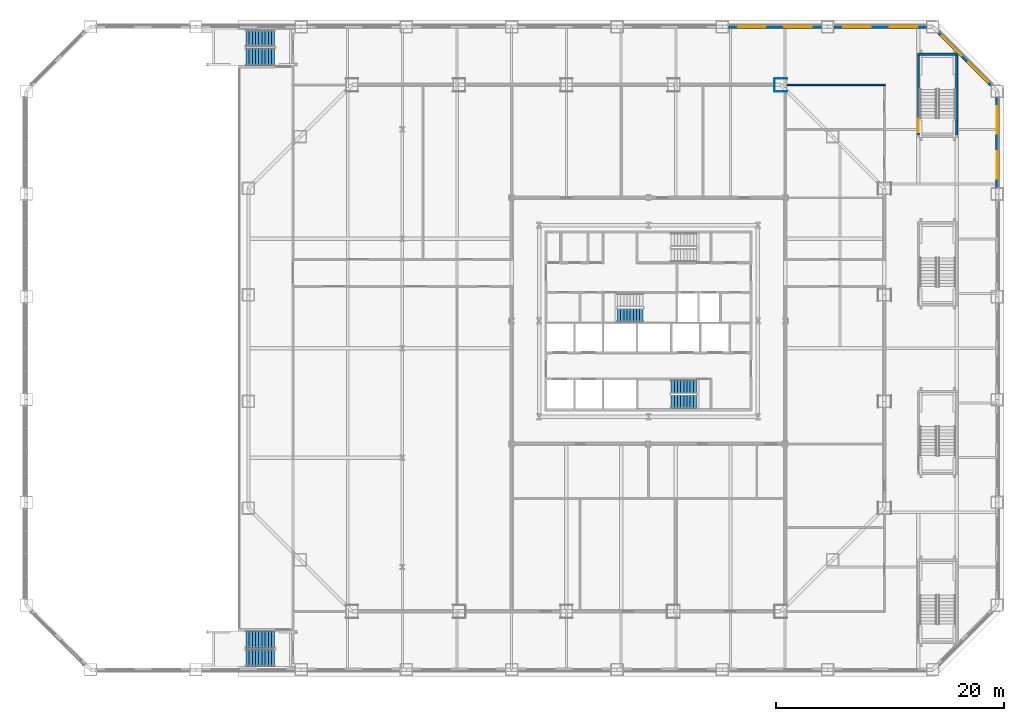
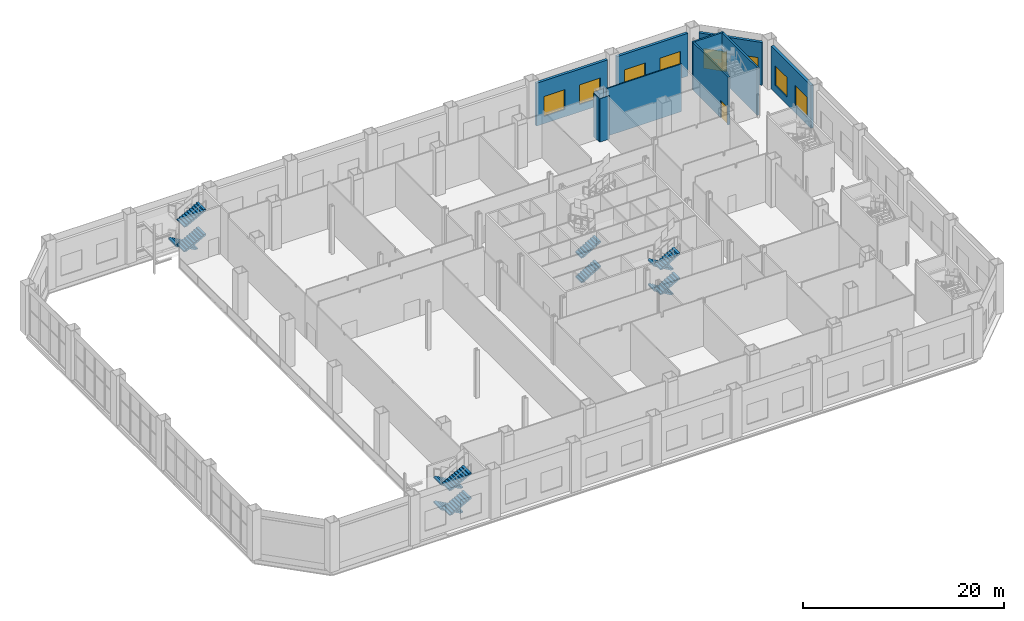
# One storey, part 22 of 31: 13 stair flights, 11 walls, 8 windows, 1 door, 9 openings, 4 elements without a shape of their own.
"""IFC4 building model written with IfcOpenShell, lengths in metres."""

from ifc_helpers import new_model, si_unit, direction, frame, frame_2d, origin, place, context, subcontext, project, spatial, polyline, rectangle, outline, extrude, material, layer, layer_set, type_object, element, fill, aggregate, save


model = new_model("IFC4")

# Units and contexts
model_context = context("Model", 3, precision=1e-05, world=origin(), true_north=direction((0.0, 1.0)))
body_context = subcontext(model_context, "Body", "Model", "MODEL_VIEW")
ifc_project = project(units=[si_unit("LENGTHUNIT", "METRE"), si_unit("AREAUNIT", "SQUARE_METRE"), si_unit("VOLUMEUNIT", "CUBIC_METRE"), si_unit("PLANEANGLEUNIT", "RADIAN"), si_unit("MASSUNIT", "GRAM", prefix="KILO")], contexts=[model_context])

# Site, building, storey
site_placement = place(None, origin())
site = spatial("IfcSite", under=ifc_project, at=site_placement, CompositionType="ELEMENT")
building_placement = place(site_placement, origin())
building = spatial("IfcBuilding", under=site, at=building_placement, Name="Cairn Pilgrim Tower", CompositionType="ELEMENT")
storey_placement = place(building_placement, frame((0.0, 0.0, 15.0)))
storey = spatial("IfcBuildingStorey", under=building, at=storey_placement, Name="L02", CompositionType="ELEMENT", Elevation=15.0)

# Walls
ifc_material_1 = material(Name="Gypsum partition")
ifc_layer_1 = layer(ifc_material_1, 0.125)
ifc_layer_set_1 = layer_set([ifc_layer_1], Name="PARTITION 125 DRYWALL EI 60")
wall_type_1 = type_object("IfcWallType", Name="PARTITION 125 DRYWALL EI 60", PredefinedType="PARTITIONING", material=ifc_layer_set_1)
wall_1_placement = place(storey_placement, frame((19.377197265625, 23.10009765625, 0.0), z_axis=(0.0, 0.0, 1.0), x_axis=(1.0, 0.0, 0.0)))
element("IfcWall", 1, at=wall_1_placement, inside=storey, type_object=wall_type_1, Name="PARTITION W071", PredefinedType="PARTITIONING", context=body_context, shape_type="SweptSolid", body=[
    extrude(rectangle(XDim=8.585205078125, YDim=0.125, at=frame_2d((4.29248046875, 0.0))), origin(), (0.0, 0.0, 1.0), 5.800048828125),
])
ifc_layer_2 = layer(ifc_material_1, 0.050048828125)
ifc_layer_set_2 = layer_set([ifc_layer_2], Name="PARTITION 50 DRYWALL EI 60")
wall_type_2 = type_object("IfcWallType", Name="PARTITION 50 DRYWALL EI 60", PredefinedType="PARTITIONING", material=ifc_layer_set_2)
wall_2_placement = place(storey_placement, frame((18.252197265625, 22.550048828125, 0.0), z_axis=(0.0, 0.0, 1.0), x_axis=(0.0, 1.0, 0.0)))
element("IfcWall", 2, at=wall_2_placement, inside=storey, type_object=wall_type_2, Name="COLUMN CASING WC35", PredefinedType="PARTITIONING", context=body_context, shape_type="SweptSolid", body=[
    extrude(rectangle(XDim=1.099853515625, YDim=0.050048828125, at=frame_2d((0.5498046875, 0.0))), origin(), (0.0, 0.0, 1.0), 5.280029296875),
])
wall_3_placement = place(storey_placement, frame((18.277099609375, 22.52490234375, 0.0), z_axis=(0.0, 0.0, 1.0), x_axis=(1.0, 0.0, 0.0)))
element("IfcWall", 3, at=wall_3_placement, inside=storey, type_object=wall_type_2, Name="COLUMN CASING WC44", PredefinedType="PARTITIONING", context=body_context, shape_type="SweptSolid", body=[
    extrude(rectangle(XDim=1.10009765625, YDim=0.050048828125, at=frame_2d((0.550048828125, 0.0))), origin(), (0.0, 0.0, 1.0), 5.280029296875),
])
wall_4_placement = place(storey_placement, frame((18.277099609375, 23.675048828125, 0.0), z_axis=(0.0, 0.0, 1.0), x_axis=(1.0, 0.0, 0.0)))
element("IfcWall", 4, at=wall_4_placement, inside=storey, type_object=wall_type_2, Name="COLUMN CASING WC45", PredefinedType="PARTITIONING", context=body_context, shape_type="SweptSolid", body=[
    extrude(rectangle(XDim=1.10009765625, YDim=0.050048828125, at=frame_2d((0.550048828125, 0.0))), origin(), (0.0, 0.0, 1.0), 5.419921875),
])

# Wall, opening, door
ifc_material_2 = material(Name="Concrete C35/45", Category="concrete")
ifc_layer_3 = layer(ifc_material_2, 0.199951171875)
ifc_layer_set_3 = layer_set([ifc_layer_3], Name="PODIUM STAIR WALL 200 EI 120")
wall_type_3 = type_object("IfcWallType", Name="PODIUM STAIR WALL 200 EI 120", PredefinedType="SOLIDWALL", material=ifc_layer_set_3)
wall_5_placement = place(storey_placement, frame((30.89990234375, 18.699951171875, 0.0), z_axis=(0.0, 0.0, 1.0), x_axis=(0.0, 1.0, 0.0)))
wall_5 = element("IfcWall", 5, at=wall_5_placement, inside=storey, type_object=wall_type_3, Name="STAIR SHAFT WALL W062", PredefinedType="SOLIDWALL", context=body_context, shape_type="SweptSolid", body=[
    extrude(rectangle(XDim=7.0, YDim=0.199951171875, at=frame_2d((3.5, 0.0))), origin(), (0.0, 0.0, 1.0), 5.800048828125),
])
opening_1_placement = place(wall_5_placement, frame((0.25, 0.0, 0.0)))
opening_1 = element("IfcOpeningElement", 6, at=opening_1_placement, cuts=wall_5, Name="Opening 0228", PredefinedType="OPENING", context=body_context, shape_type="SweptSolid", body=[
    extrude(rectangle(XDim=1.199951171875, YDim=2.10009765625, at=frame_2d((0.60009765625, 1.050048828125))), frame((0.0, 0.10986328125, 0.0), z_axis=(0.0, -1.0, 0.0), x_axis=(1.0, 0.0, 0.0)), (0.0, 0.0, 1.0), 0.219970703125),
])
ifc_material_3 = material(Name="Steel-faced fire door leaf", Category="steel")
door_type = type_object("IfcDoorType", Name="FIRE DOOR 1200x2100 FD60S", OperationType="NOTDEFINED", PredefinedType="DOOR", material=ifc_material_3)
door_placement = place(opening_1_placement, frame((1.199951171875, 0.0, 0.0), z_axis=(0.0, 0.0, 1.0), x_axis=(-1.0, 0.0, 0.0)))
door = element("IfcDoor", 7, at=door_placement, inside=storey, type_object=door_type, Name="DOOR 0228", OperationType="SINGLE_SWING_LEFT", OverallHeight=2.10009765625, OverallWidth=1.199951171875, PredefinedType="DOOR", context=body_context, shape_type="SweptSolid", body=[
    extrude(rectangle(XDim=1.199951171875, YDim=2.10009765625, at=frame_2d((0.60009765625, 1.050048828125))), frame((0.0, 0.02490234375, 0.0), z_axis=(0.0, -1.0, 0.0), x_axis=(1.0, 0.0, 0.0)), (0.0, 0.0, 1.0), 0.050048828125),
])
fill(opening_1, door)

# Walls
wall_6_placement = place(storey_placement, frame((34.25, 18.699951171875, 0.0), z_axis=(0.0, 0.0, 1.0), x_axis=(0.0, 1.0, 0.0)))
element("IfcWall", 8, at=wall_6_placement, inside=storey, type_object=wall_type_3, Name="STAIR SHAFT WALL W063", PredefinedType="SOLIDWALL", context=body_context, shape_type="SweptSolid", body=[
    extrude(rectangle(XDim=7.0, YDim=0.199951171875, at=frame_2d((3.5, 0.0))), origin(), (0.0, 0.0, 1.0), 5.800048828125),
])
wall_7_placement = place(storey_placement, frame((30.800048828125, 25.800048828125, 0.0), z_axis=(0.0, 0.0, 1.0), x_axis=(1.0, 0.0, 0.0)))
element("IfcWall", 9, at=wall_7_placement, inside=storey, type_object=wall_type_3, Name="STAIR SHAFT WALL W074", PredefinedType="SOLIDWALL", context=body_context, shape_type="SweptSolid", body=[
    extrude(rectangle(XDim=3.550048828125, YDim=0.199951171875, at=frame_2d((1.77490234375, 0.0))), origin(), (0.0, 0.0, 1.0), 5.800048828125),
])

# Wall, openings, windows
ifc_material_4 = material(Name="Concrete C35/45 backup wall with bronze aluminium cladding", Category="concrete")
ifc_layer_4 = layer(ifc_material_4, 0.300048828125)
ifc_layer_set_4 = layer_set([ifc_layer_4], Name="PODIUM WALL 300 BRONZE-CLAD")
wall_type_4 = type_object("IfcWallType", Name="PODIUM WALL 300 BRONZE-CLAD", PredefinedType="SOLIDWALL", material=ifc_layer_set_4)
wall_8_placement = place(storey_placement, frame((37.800048828125, 14.080810546875, 0.0), z_axis=(0.0, 0.0, 1.0), x_axis=(0.0, 1.0, 0.0)))
wall_8 = element("IfcWall", 10, at=wall_8_placement, inside=storey, type_object=wall_type_4, Name="PODIUM EXTERNAL WALL E5-NE1", PredefinedType="SOLIDWALL", context=body_context, shape_type="SweptSolid", body=[
    extrude(rectangle(XDim=7.920654296875, YDim=0.300048828125, at=frame_2d((3.96044921875, 0.0))), origin(), (0.0, 0.0, 1.0), 5.199951171875),
])
opening_2_placement = place(wall_8_placement, frame((0.780029296875, 0.0, 0.89990234375)))
opening_2 = element("IfcOpeningElement", 11, at=opening_2_placement, cuts=wall_8, Name="Opening PW24", PredefinedType="OPENING", context=body_context, shape_type="SweptSolid", body=[
    extrude(rectangle(XDim=2.39990234375, YDim=2.39990234375, at=frame_2d((1.199951171875, 1.199951171875))), frame((0.0, 0.16015625, 0.0), z_axis=(0.0, -1.0, 0.0), x_axis=(1.0, 0.0, 0.0)), (0.0, 0.0, 1.0), 0.320068359375),
])
opening_3_placement = place(wall_8_placement, frame((4.740478515625, 0.0, 0.89990234375)))
opening_3 = element("IfcOpeningElement", 12, at=opening_3_placement, cuts=wall_8, Name="Opening PW24", PredefinedType="OPENING", context=body_context, shape_type="SweptSolid", body=[
    extrude(rectangle(XDim=2.39990234375, YDim=2.39990234375, at=frame_2d((1.199951171875, 1.199951171875))), frame((0.0, 0.16015625, 0.0), z_axis=(0.0, -1.0, 0.0), x_axis=(1.0, 0.0, 0.0)), (0.0, 0.0, 1.0), 0.320068359375),
])
ifc_material_5 = material(Name="Bronze anodised aluminium frame with tinted low-E glass", Category="aluminium")
window_type = type_object("IfcWindowType", Name="PODIUM FIXED WINDOW 2400x2400", PartitioningType="SINGLE_PANEL", PredefinedType="WINDOW", material=ifc_material_5)
window_1_placement = place(opening_2_placement, origin())
window_1 = element("IfcWindow", 13, at=window_1_placement, inside=storey, type_object=window_type, Name="PODIUM WINDOW", OverallHeight=2.39990234375, OverallWidth=2.39990234375, PartitioningType="SINGLE_PANEL", PredefinedType="WINDOW", context=body_context, shape_type="SweptSolid", body=[
    extrude(rectangle(XDim=2.39990234375, YDim=2.39990234375, at=frame_2d((1.199951171875, 1.199951171875))), frame((0.0, 0.030029296875, 0.0), z_axis=(0.0, -1.0, 0.0), x_axis=(1.0, 0.0, 0.0)), (0.0, 0.0, 1.0), 0.06005859375),
])
fill(opening_2, window_1)
window_2_placement = place(opening_3_placement, origin())
window_2 = element("IfcWindow", 14, at=window_2_placement, inside=storey, type_object=window_type, Name="PODIUM WINDOW", OverallHeight=2.39990234375, OverallWidth=2.39990234375, PartitioningType="SINGLE_PANEL", PredefinedType="WINDOW", context=body_context, shape_type="SweptSolid", body=[
    extrude(rectangle(XDim=2.39990234375, YDim=2.39990234375, at=frame_2d((1.199951171875, 1.199951171875))), frame((0.0, 0.030029296875, 0.0), z_axis=(0.0, -1.0, 0.0), x_axis=(1.0, 0.0, 0.0)), (0.0, 0.0, 1.0), 0.06005859375),
])
fill(opening_3, window_2)

wall_9_placement = place(storey_placement, frame((37.276611328125, 23.07470703125, 0.0), z_axis=(0.0, 0.0, 1.0), x_axis=(-0.707088024292, 0.707125537583, 0.0)))
wall_9 = element("IfcWall", 15, at=wall_9_placement, inside=storey, type_object=wall_type_4, Name="PODIUM EXTERNAL WALL NE1-N1", PredefinedType="SOLIDWALL", context=body_context, shape_type="SweptSolid", body=[
    extrude(rectangle(XDim=6.508056640625, YDim=0.300048828125, at=frame_2d((3.25390625, 0.0))), origin(), (0.0, 0.0, 1.0), 5.199951171875),
])
opening_4_placement = place(wall_9_placement, frame((0.427001953125, 0.0, 0.89990234375)))
opening_4 = element("IfcOpeningElement", 16, at=opening_4_placement, cuts=wall_9, Name="Opening PW24", PredefinedType="OPENING", context=body_context, shape_type="SweptSolid", body=[
    extrude(rectangle(XDim=2.39990234375, YDim=2.39990234375, at=frame_2d((1.199951171875, 1.199951171875))), frame((0.0, 0.16015625, 0.0), z_axis=(0.0, -1.0, 0.0), x_axis=(1.0, 0.0, 0.0)), (0.0, 0.0, 1.0), 0.320068359375),
])
opening_5_placement = place(wall_9_placement, frame((3.68115234375, 0.0, 0.89990234375)))
opening_5 = element("IfcOpeningElement", 17, at=opening_5_placement, cuts=wall_9, Name="Opening PW24", PredefinedType="OPENING", context=body_context, shape_type="SweptSolid", body=[
    extrude(rectangle(XDim=2.39990234375, YDim=2.39990234375, at=frame_2d((1.199951171875, 1.199951171875))), frame((0.0, 0.16015625, 0.0), z_axis=(0.0, -1.0, 0.0), x_axis=(1.0, 0.0, 0.0)), (0.0, 0.0, 1.0), 0.320068359375),
])
window_3_placement = place(opening_4_placement, origin())
window_3 = element("IfcWindow", 18, at=window_3_placement, inside=storey, type_object=window_type, Name="PODIUM WINDOW", OverallHeight=2.39990234375, OverallWidth=2.39990234375, PartitioningType="SINGLE_PANEL", PredefinedType="WINDOW", context=body_context, shape_type="SweptSolid", body=[
    extrude(rectangle(XDim=2.39990234375, YDim=2.39990234375, at=frame_2d((1.199951171875, 1.199951171875))), frame((0.0, 0.030029296875, 0.0), z_axis=(0.0, -1.0, 0.0), x_axis=(1.0, 0.0, 0.0)), (0.0, 0.0, 1.0), 0.06005859375),
])
fill(opening_4, window_3)
window_4_placement = place(opening_5_placement, origin())
window_4 = element("IfcWindow", 19, at=window_4_placement, inside=storey, type_object=window_type, Name="PODIUM WINDOW", OverallHeight=2.39990234375, OverallWidth=2.39990234375, PartitioningType="SINGLE_PANEL", PredefinedType="WINDOW", context=body_context, shape_type="SweptSolid", body=[
    extrude(rectangle(XDim=2.39990234375, YDim=2.39990234375, at=frame_2d((1.199951171875, 1.199951171875))), frame((0.0, 0.030029296875, 0.0), z_axis=(0.0, -1.0, 0.0), x_axis=(1.0, 0.0, 0.0)), (0.0, 0.0, 1.0), 0.06005859375),
])
fill(opening_5, window_4)

wall_10_placement = place(storey_placement, frame((31.6015625, 28.199951171875, 0.0), z_axis=(0.0, 0.0, 1.0), x_axis=(-1.0, 0.0, 0.0)))
wall_10 = element("IfcWall", 20, at=wall_10_placement, inside=storey, type_object=wall_type_4, Name="PODIUM EXTERNAL WALL N1-N2", PredefinedType="SOLIDWALL", context=body_context, shape_type="SweptSolid", body=[
    extrude(rectangle(XDim=8.137939453125, YDim=0.300048828125, at=frame_2d((4.06884765625, 0.0))), origin(), (0.0, 0.0, 1.0), 5.199951171875),
])
opening_6_placement = place(wall_10_placement, frame((0.83447265625, 0.0, 0.89990234375)))
opening_6 = element("IfcOpeningElement", 21, at=opening_6_placement, cuts=wall_10, Name="Opening PW24", PredefinedType="OPENING", context=body_context, shape_type="SweptSolid", body=[
    extrude(rectangle(XDim=2.39990234375, YDim=2.39990234375, at=frame_2d((1.199951171875, 1.199951171875))), frame((0.0, 0.16015625, 0.0), z_axis=(0.0, -1.0, 0.0), x_axis=(1.0, 0.0, 0.0)), (0.0, 0.0, 1.0), 0.320068359375),
])
opening_7_placement = place(wall_10_placement, frame((4.9033203125, 0.0, 0.89990234375)))
opening_7 = element("IfcOpeningElement", 22, at=opening_7_placement, cuts=wall_10, Name="Opening PW24", PredefinedType="OPENING", context=body_context, shape_type="SweptSolid", body=[
    extrude(rectangle(XDim=2.39990234375, YDim=2.39990234375, at=frame_2d((1.199951171875, 1.199951171875))), frame((0.0, 0.16015625, 0.0), z_axis=(0.0, -1.0, 0.0), x_axis=(1.0, 0.0, 0.0)), (0.0, 0.0, 1.0), 0.320068359375),
])
window_5_placement = place(opening_6_placement, origin())
window_5 = element("IfcWindow", 23, at=window_5_placement, inside=storey, type_object=window_type, Name="PODIUM WINDOW", OverallHeight=2.39990234375, OverallWidth=2.39990234375, PartitioningType="SINGLE_PANEL", PredefinedType="WINDOW", context=body_context, shape_type="SweptSolid", body=[
    extrude(rectangle(XDim=2.39990234375, YDim=2.39990234375, at=frame_2d((1.199951171875, 1.199951171875))), frame((0.0, 0.030029296875, 0.0), z_axis=(0.0, -1.0, 0.0), x_axis=(1.0, 0.0, 0.0)), (0.0, 0.0, 1.0), 0.06005859375),
])
fill(opening_6, window_5)
window_6_placement = place(opening_7_placement, origin())
window_6 = element("IfcWindow", 24, at=window_6_placement, inside=storey, type_object=window_type, Name="PODIUM WINDOW", OverallHeight=2.39990234375, OverallWidth=2.39990234375, PartitioningType="SINGLE_PANEL", PredefinedType="WINDOW", context=body_context, shape_type="SweptSolid", body=[
    extrude(rectangle(XDim=2.39990234375, YDim=2.39990234375, at=frame_2d((1.199951171875, 1.199951171875))), frame((0.0, 0.030029296875, 0.0), z_axis=(0.0, -1.0, 0.0), x_axis=(1.0, 0.0, 0.0)), (0.0, 0.0, 1.0), 0.06005859375),
])
fill(opening_7, window_6)

wall_11_placement = place(storey_placement, frame((22.363525390625, 28.199951171875, 0.0), z_axis=(0.0, 0.0, 1.0), x_axis=(-1.0, 0.0, 0.0)))
wall_11 = element("IfcWall", 25, at=wall_11_placement, inside=storey, type_object=wall_type_4, Name="PODIUM EXTERNAL WALL N2-N3", PredefinedType="SOLIDWALL", context=body_context, shape_type="SweptSolid", body=[
    extrude(rectangle(XDim=8.137939453125, YDim=0.300048828125, at=frame_2d((4.06884765625, 0.0))), origin(), (0.0, 0.0, 1.0), 5.199951171875),
])
opening_8_placement = place(wall_11_placement, frame((0.83447265625, 0.0, 0.89990234375)))
opening_8 = element("IfcOpeningElement", 26, at=opening_8_placement, cuts=wall_11, Name="Opening PW24", PredefinedType="OPENING", context=body_context, shape_type="SweptSolid", body=[
    extrude(rectangle(XDim=2.39990234375, YDim=2.39990234375, at=frame_2d((1.199951171875, 1.199951171875))), frame((0.0, 0.16015625, 0.0), z_axis=(0.0, -1.0, 0.0), x_axis=(1.0, 0.0, 0.0)), (0.0, 0.0, 1.0), 0.320068359375),
])
opening_9_placement = place(wall_11_placement, frame((4.9033203125, 0.0, 0.89990234375)))
opening_9 = element("IfcOpeningElement", 27, at=opening_9_placement, cuts=wall_11, Name="Opening PW24", PredefinedType="OPENING", context=body_context, shape_type="SweptSolid", body=[
    extrude(rectangle(XDim=2.39990234375, YDim=2.39990234375, at=frame_2d((1.199951171875, 1.199951171875))), frame((0.0, 0.16015625, 0.0), z_axis=(0.0, -1.0, 0.0), x_axis=(1.0, 0.0, 0.0)), (0.0, 0.0, 1.0), 0.320068359375),
])
window_7_placement = place(opening_8_placement, origin())
window_7 = element("IfcWindow", 28, at=window_7_placement, inside=storey, type_object=window_type, Name="PODIUM WINDOW", OverallHeight=2.39990234375, OverallWidth=2.39990234375, PartitioningType="SINGLE_PANEL", PredefinedType="WINDOW", context=body_context, shape_type="SweptSolid", body=[
    extrude(rectangle(XDim=2.39990234375, YDim=2.39990234375, at=frame_2d((1.199951171875, 1.199951171875))), frame((0.0, 0.030029296875, 0.0), z_axis=(0.0, -1.0, 0.0), x_axis=(1.0, 0.0, 0.0)), (0.0, 0.0, 1.0), 0.06005859375),
])
fill(opening_8, window_7)
window_8_placement = place(opening_9_placement, origin())
window_8 = element("IfcWindow", 29, at=window_8_placement, inside=storey, type_object=window_type, Name="PODIUM WINDOW", OverallHeight=2.39990234375, OverallWidth=2.39990234375, PartitioningType="SINGLE_PANEL", PredefinedType="WINDOW", context=body_context, shape_type="SweptSolid", body=[
    extrude(rectangle(XDim=2.39990234375, YDim=2.39990234375, at=frame_2d((1.199951171875, 1.199951171875))), frame((0.0, 0.030029296875, 0.0), z_axis=(0.0, -1.0, 0.0), x_axis=(1.0, 0.0, 0.0)), (0.0, 0.0, 1.0), 0.06005859375),
])
fill(opening_9, window_8)

# Stair, stair flights
stair_type_1 = type_object("IfcStairType", Name="PODIUM EXIT STAIR 1500", PredefinedType="HALF_TURN_STAIR", material=ifc_material_2)
stair_1_placement = place(storey_placement, origin())
stair_1 = element("IfcStair", 30, at=stair_1_placement, inside=storey, type_object=stair_type_1, Name="L02 Exit Stair Hn", PredefinedType="HALF_TURN_STAIR")
stair_flight_type_1 = type_object("IfcStairFlightType", Name="PODIUM STAIR FLIGHT 1500", PredefinedType="STRAIGHT", material=ifc_material_2)
stair_flight_1_placement = place(storey_placement, frame((-25.60009765625, 27.199951171875, 0.0), z_axis=(0.0, 0.0, 1.0), x_axis=(-1.0, 0.0, 0.0)))
stair_flight_1 = element("IfcStairFlight", 31, at=stair_flight_1_placement, type_object=stair_flight_type_1, Name="ST-HN flight 1", NumberOfRisers=10, NumberOfTreads=9, PredefinedType="STRAIGHT", RiserHeight=0.15, TreadLength=0.28, context=body_context, shape_type="SweptSolid", body=[
    extrude(outline(polyline([(0.0, 0.0), (0.0, 0.14990234375), (0.280029296875, 0.14990234375), (0.280029296875, 0.300048828125), (0.56005859375, 0.300048828125), (0.56005859375, 0.449951171875), (0.840087890625, 0.449951171875), (0.840087890625, 0.60009765625), (1.1201171875, 0.60009765625), (1.1201171875, 0.75), (1.39990234375, 0.75), (1.39990234375, 0.89990234375), (1.679931640625, 0.89990234375), (1.679931640625, 1.050048828125), (1.9599609375, 1.050048828125), (1.9599609375, 1.199951171875), (2.239990234375, 1.199951171875), (2.239990234375, 1.35009765625), (2.52001953125, 1.35009765625), (2.52001953125, 1.5), (2.52001953125, 1.179931640625), (0.3173828125, 0.0), (0.0, 0.0)])), frame((0.0, 0.75, 0.0), z_axis=(0.0, -1.0, 0.0), x_axis=(1.0, 0.0, 0.0)), (0.0, 0.0, 1.0), 1.5),
])
stair_flight_2_placement = place(storey_placement, frame((-28.1201171875, 25.550048828125, 1.5), z_axis=(0.0, 0.0, 1.0), x_axis=(1.0, 0.0, 0.0)))
stair_flight_2 = element("IfcStairFlight", 32, at=stair_flight_2_placement, type_object=stair_flight_type_1, Name="ST-HN flight 2", NumberOfRisers=10, NumberOfTreads=9, PredefinedType="STRAIGHT", RiserHeight=0.15, TreadLength=0.28, context=body_context, shape_type="SweptSolid", body=[
    extrude(outline(polyline([(0.0, 0.0), (0.0, 0.14990234375), (0.280029296875, 0.14990234375), (0.280029296875, 0.300048828125), (0.56005859375, 0.300048828125), (0.56005859375, 0.449951171875), (0.840087890625, 0.449951171875), (0.840087890625, 0.60009765625), (1.1201171875, 0.60009765625), (1.1201171875, 0.75), (1.39990234375, 0.75), (1.39990234375, 0.89990234375), (1.679931640625, 0.89990234375), (1.679931640625, 1.050048828125), (1.9599609375, 1.050048828125), (1.9599609375, 1.199951171875), (2.239990234375, 1.199951171875), (2.239990234375, 1.35009765625), (2.52001953125, 1.35009765625), (2.52001953125, 1.5), (2.52001953125, 1.179931640625), (0.3173828125, 0.0), (0.0, 0.0)])), frame((0.0, 0.75, 0.0), z_axis=(0.0, -1.0, 0.0), x_axis=(1.0, 0.0, 0.0)), (0.0, 0.0, 1.0), 1.5),
])
stair_flight_3_placement = place(storey_placement, frame((-28.1201171875, 25.550048828125, 4.5), z_axis=(0.0, 0.0, 1.0), x_axis=(1.0, 0.0, 0.0)))
stair_flight_3 = element("IfcStairFlight", 33, at=stair_flight_3_placement, type_object=stair_flight_type_1, Name="ST-HN flight 4", NumberOfRisers=10, NumberOfTreads=9, PredefinedType="STRAIGHT", RiserHeight=0.15, TreadLength=0.28, context=body_context, shape_type="SweptSolid", body=[
    extrude(outline(polyline([(0.0, 0.0), (0.0, 0.14990234375), (0.280029296875, 0.14990234375), (0.280029296875, 0.300048828125), (0.56005859375, 0.300048828125), (0.56005859375, 0.449951171875), (0.840087890625, 0.449951171875), (0.840087890625, 0.60009765625), (1.1201171875, 0.60009765625), (1.1201171875, 0.75), (1.39990234375, 0.75), (1.39990234375, 0.89990234375), (1.679931640625, 0.89990234375), (1.679931640625, 1.050048828125), (1.9599609375, 1.050048828125), (1.9599609375, 1.199951171875), (2.239990234375, 1.199951171875), (2.239990234375, 1.35009765625), (2.52001953125, 1.35009765625), (2.52001953125, 1.5), (2.52001953125, 1.179931640625), (0.3173828125, 0.0), (0.0, 0.0)])), frame((0.0, 0.75, 0.0), z_axis=(0.0, -1.0, 0.0), x_axis=(1.0, 0.0, 0.0)), (0.0, 0.0, 1.0), 1.5),
])
aggregate(stair_1, [stair_flight_1, stair_flight_2, stair_flight_3])

stair_2_placement = place(storey_placement, origin())
stair_2 = element("IfcStair", 34, at=stair_2_placement, inside=storey, type_object=stair_type_1, Name="L02 Exit Stair Hs", PredefinedType="HALF_TURN_STAIR")
stair_flight_4_placement = place(storey_placement, frame((-25.60009765625, -25.550048828125, 0.0), z_axis=(0.0, 0.0, 1.0), x_axis=(-1.0, 0.0, 0.0)))
stair_flight_4 = element("IfcStairFlight", 35, at=stair_flight_4_placement, type_object=stair_flight_type_1, Name="ST-HS flight 1", NumberOfRisers=10, NumberOfTreads=9, PredefinedType="STRAIGHT", RiserHeight=0.15, TreadLength=0.28, context=body_context, shape_type="SweptSolid", body=[
    extrude(outline(polyline([(0.0, 0.0), (0.0, 0.14990234375), (0.280029296875, 0.14990234375), (0.280029296875, 0.300048828125), (0.56005859375, 0.300048828125), (0.56005859375, 0.449951171875), (0.840087890625, 0.449951171875), (0.840087890625, 0.60009765625), (1.1201171875, 0.60009765625), (1.1201171875, 0.75), (1.39990234375, 0.75), (1.39990234375, 0.89990234375), (1.679931640625, 0.89990234375), (1.679931640625, 1.050048828125), (1.9599609375, 1.050048828125), (1.9599609375, 1.199951171875), (2.239990234375, 1.199951171875), (2.239990234375, 1.35009765625), (2.52001953125, 1.35009765625), (2.52001953125, 1.5), (2.52001953125, 1.179931640625), (0.3173828125, 0.0), (0.0, 0.0)])), frame((0.0, 0.75, 0.0), z_axis=(0.0, -1.0, 0.0), x_axis=(1.0, 0.0, 0.0)), (0.0, 0.0, 1.0), 1.5),
])
stair_flight_5_placement = place(storey_placement, frame((-28.1201171875, -27.199951171875, 1.5), z_axis=(0.0, 0.0, 1.0), x_axis=(1.0, 0.0, 0.0)))
stair_flight_5 = element("IfcStairFlight", 36, at=stair_flight_5_placement, type_object=stair_flight_type_1, Name="ST-HS flight 2", NumberOfRisers=10, NumberOfTreads=9, PredefinedType="STRAIGHT", RiserHeight=0.15, TreadLength=0.28, context=body_context, shape_type="SweptSolid", body=[
    extrude(outline(polyline([(0.0, 0.0), (0.0, 0.14990234375), (0.280029296875, 0.14990234375), (0.280029296875, 0.300048828125), (0.56005859375, 0.300048828125), (0.56005859375, 0.449951171875), (0.840087890625, 0.449951171875), (0.840087890625, 0.60009765625), (1.1201171875, 0.60009765625), (1.1201171875, 0.75), (1.39990234375, 0.75), (1.39990234375, 0.89990234375), (1.679931640625, 0.89990234375), (1.679931640625, 1.050048828125), (1.9599609375, 1.050048828125), (1.9599609375, 1.199951171875), (2.239990234375, 1.199951171875), (2.239990234375, 1.35009765625), (2.52001953125, 1.35009765625), (2.52001953125, 1.5), (2.52001953125, 1.179931640625), (0.3173828125, 0.0), (0.0, 0.0)])), frame((0.0, 0.75, 0.0), z_axis=(0.0, -1.0, 0.0), x_axis=(1.0, 0.0, 0.0)), (0.0, 0.0, 1.0), 1.5),
])
stair_flight_6_placement = place(storey_placement, frame((-25.60009765625, -25.550048828125, 3.0), z_axis=(0.0, 0.0, 1.0), x_axis=(-1.0, 0.0, 0.0)))
stair_flight_6 = element("IfcStairFlight", 37, at=stair_flight_6_placement, type_object=stair_flight_type_1, Name="ST-HS flight 3", NumberOfRisers=10, NumberOfTreads=9, PredefinedType="STRAIGHT", RiserHeight=0.15, TreadLength=0.28, context=body_context, shape_type="SweptSolid", body=[
    extrude(outline(polyline([(0.0, 0.0), (0.0, 0.14990234375), (0.280029296875, 0.14990234375), (0.280029296875, 0.300048828125), (0.56005859375, 0.300048828125), (0.56005859375, 0.449951171875), (0.840087890625, 0.449951171875), (0.840087890625, 0.60009765625), (1.1201171875, 0.60009765625), (1.1201171875, 0.75), (1.39990234375, 0.75), (1.39990234375, 0.89990234375), (1.679931640625, 0.89990234375), (1.679931640625, 1.050048828125), (1.9599609375, 1.050048828125), (1.9599609375, 1.199951171875), (2.239990234375, 1.199951171875), (2.239990234375, 1.35009765625), (2.52001953125, 1.35009765625), (2.52001953125, 1.5), (2.52001953125, 1.179931640625), (0.3173828125, 0.0), (0.0, 0.0)])), frame((0.0, 0.75, 0.0), z_axis=(0.0, -1.0, 0.0), x_axis=(1.0, 0.0, 0.0)), (0.0, 0.0, 1.0), 1.5),
])
stair_flight_7_placement = place(storey_placement, frame((-28.1201171875, -27.199951171875, 4.5), z_axis=(0.0, 0.0, 1.0), x_axis=(1.0, 0.0, 0.0)))
stair_flight_7 = element("IfcStairFlight", 38, at=stair_flight_7_placement, type_object=stair_flight_type_1, Name="ST-HS flight 4", NumberOfRisers=10, NumberOfTreads=9, PredefinedType="STRAIGHT", RiserHeight=0.15, TreadLength=0.28, context=body_context, shape_type="SweptSolid", body=[
    extrude(outline(polyline([(0.0, 0.0), (0.0, 0.14990234375), (0.280029296875, 0.14990234375), (0.280029296875, 0.300048828125), (0.56005859375, 0.300048828125), (0.56005859375, 0.449951171875), (0.840087890625, 0.449951171875), (0.840087890625, 0.60009765625), (1.1201171875, 0.60009765625), (1.1201171875, 0.75), (1.39990234375, 0.75), (1.39990234375, 0.89990234375), (1.679931640625, 0.89990234375), (1.679931640625, 1.050048828125), (1.9599609375, 1.050048828125), (1.9599609375, 1.199951171875), (2.239990234375, 1.199951171875), (2.239990234375, 1.35009765625), (2.52001953125, 1.35009765625), (2.52001953125, 1.5), (2.52001953125, 1.179931640625), (0.3173828125, 0.0), (0.0, 0.0)])), frame((0.0, 0.75, 0.0), z_axis=(0.0, -1.0, 0.0), x_axis=(1.0, 0.0, 0.0)), (0.0, 0.0, 1.0), 1.5),
])
aggregate(stair_2, [stair_flight_4, stair_flight_5, stair_flight_6, stair_flight_7])

ifc_material_6 = material(Name="Concrete C32/40", Category="concrete")
stair_type_2 = type_object("IfcStairType", Name="EXIT STAIR 1200", PredefinedType="HALF_TURN_STAIR", material=ifc_material_6)
stair_3_placement = place(storey_placement, origin())
stair_3 = element("IfcStair", 39, at=stair_3_placement, inside=storey, type_object=stair_type_2, Name="L02 Exit Stair A", PredefinedType="HALF_TURN_STAIR")
stair_flight_type_2 = type_object("IfcStairFlightType", Name="STAIR FLIGHT 1200", PredefinedType="STRAIGHT", material=ifc_material_6)
stair_flight_8_placement = place(storey_placement, frame((11.425048828125, -3.375, 0.0), z_axis=(0.0, 0.0, 1.0), x_axis=(-1.0, 0.0, 0.0)))
stair_flight_8 = element("IfcStairFlight", 40, at=stair_flight_8_placement, type_object=stair_flight_type_2, Name="ST-A flight 1", NumberOfRisers=9, NumberOfTreads=8, PredefinedType="STRAIGHT", RiserHeight=0.166666667, TreadLength=0.28, context=body_context, shape_type="SweptSolid", body=[
    extrude(outline(polyline([(0.0, 0.0), (0.0, 0.166748046875), (0.280029296875, 0.166748046875), (0.280029296875, 0.333251953125), (0.56005859375, 0.333251953125), (0.56005859375, 0.5), (0.840087890625, 0.5), (0.840087890625, 0.666748046875), (1.1201171875, 0.666748046875), (1.1201171875, 0.833251953125), (1.39990234375, 0.833251953125), (1.39990234375, 1.0), (1.679931640625, 1.0), (1.679931640625, 1.166748046875), (1.9599609375, 1.166748046875), (1.9599609375, 1.333251953125), (2.239990234375, 1.333251953125), (2.239990234375, 1.5), (2.239990234375, 1.158935546875), (0.29296875, 0.0), (0.0, 0.0)])), frame((0.0, 0.60009765625, 0.0), z_axis=(0.0, -1.0, 0.0), x_axis=(1.0, 0.0, 0.0)), (0.0, 0.0, 1.0), 1.199951171875),
])
stair_flight_9_placement = place(storey_placement, frame((9.18505859375, -4.699951171875, 1.5), z_axis=(0.0, 0.0, 1.0), x_axis=(1.0, 0.0, 0.0)))
stair_flight_9 = element("IfcStairFlight", 41, at=stair_flight_9_placement, type_object=stair_flight_type_2, Name="ST-A flight 2", NumberOfRisers=9, NumberOfTreads=8, PredefinedType="STRAIGHT", RiserHeight=0.166666667, TreadLength=0.28, context=body_context, shape_type="SweptSolid", body=[
    extrude(outline(polyline([(0.0, 0.0), (0.0, 0.166748046875), (0.280029296875, 0.166748046875), (0.280029296875, 0.333251953125), (0.56005859375, 0.333251953125), (0.56005859375, 0.5), (0.840087890625, 0.5), (0.840087890625, 0.666748046875), (1.1201171875, 0.666748046875), (1.1201171875, 0.833251953125), (1.39990234375, 0.833251953125), (1.39990234375, 1.0), (1.679931640625, 1.0), (1.679931640625, 1.166748046875), (1.9599609375, 1.166748046875), (1.9599609375, 1.333251953125), (2.239990234375, 1.333251953125), (2.239990234375, 1.5), (2.239990234375, 1.158935546875), (0.29296875, 0.0), (0.0, 0.0)])), frame((0.0, 0.60009765625, 0.0), z_axis=(0.0, -1.0, 0.0), x_axis=(1.0, 0.0, 0.0)), (0.0, 0.0, 1.0), 1.199951171875),
])
stair_flight_10_placement = place(storey_placement, frame((11.425048828125, -3.375, 3.0), z_axis=(0.0, 0.0, 1.0), x_axis=(-1.0, 0.0, 0.0)))
stair_flight_10 = element("IfcStairFlight", 42, at=stair_flight_10_placement, type_object=stair_flight_type_2, Name="ST-A flight 3", NumberOfRisers=9, NumberOfTreads=8, PredefinedType="STRAIGHT", RiserHeight=0.166666667, TreadLength=0.28, context=body_context, shape_type="SweptSolid", body=[
    extrude(outline(polyline([(0.0, 0.0), (0.0, 0.166748046875), (0.280029296875, 0.166748046875), (0.280029296875, 0.333251953125), (0.56005859375, 0.333251953125), (0.56005859375, 0.5), (0.840087890625, 0.5), (0.840087890625, 0.666748046875), (1.1201171875, 0.666748046875), (1.1201171875, 0.833251953125), (1.39990234375, 0.833251953125), (1.39990234375, 1.0), (1.679931640625, 1.0), (1.679931640625, 1.166748046875), (1.9599609375, 1.166748046875), (1.9599609375, 1.333251953125), (2.239990234375, 1.333251953125), (2.239990234375, 1.5), (2.239990234375, 1.158935546875), (0.29296875, 0.0), (0.0, 0.0)])), frame((0.0, 0.60009765625, 0.0), z_axis=(0.0, -1.0, 0.0), x_axis=(1.0, 0.0, 0.0)), (0.0, 0.0, 1.0), 1.199951171875),
])
stair_flight_11_placement = place(storey_placement, frame((9.18505859375, -4.699951171875, 4.5), z_axis=(0.0, 0.0, 1.0), x_axis=(1.0, 0.0, 0.0)))
stair_flight_11 = element("IfcStairFlight", 43, at=stair_flight_11_placement, type_object=stair_flight_type_2, Name="ST-A flight 4", NumberOfRisers=9, NumberOfTreads=8, PredefinedType="STRAIGHT", RiserHeight=0.166666667, TreadLength=0.28, context=body_context, shape_type="SweptSolid", body=[
    extrude(outline(polyline([(0.0, 0.0), (0.0, 0.166748046875), (0.280029296875, 0.166748046875), (0.280029296875, 0.333251953125), (0.56005859375, 0.333251953125), (0.56005859375, 0.5), (0.840087890625, 0.5), (0.840087890625, 0.666748046875), (1.1201171875, 0.666748046875), (1.1201171875, 0.833251953125), (1.39990234375, 0.833251953125), (1.39990234375, 1.0), (1.679931640625, 1.0), (1.679931640625, 1.166748046875), (1.9599609375, 1.166748046875), (1.9599609375, 1.333251953125), (2.239990234375, 1.333251953125), (2.239990234375, 1.5), (2.239990234375, 1.158935546875), (0.29296875, 0.0), (0.0, 0.0)])), frame((0.0, 0.60009765625, 0.0), z_axis=(0.0, -1.0, 0.0), x_axis=(1.0, 0.0, 0.0)), (0.0, 0.0, 1.0), 1.199951171875),
])
aggregate(stair_3, [stair_flight_8, stair_flight_9, stair_flight_10, stair_flight_11])

stair_4_placement = place(storey_placement, origin())
stair_4 = element("IfcStair", 44, at=stair_4_placement, inside=storey, type_object=stair_type_2, Name="L02 Exit Stair B", PredefinedType="HALF_TURN_STAIR")
stair_flight_12_placement = place(storey_placement, frame((4.47509765625, 2.875, 0.0), z_axis=(0.0, 0.0, 1.0), x_axis=(1.0, 0.0, 0.0)))
stair_flight_12 = element("IfcStairFlight", 45, at=stair_flight_12_placement, type_object=stair_flight_type_2, Name="ST-B flight 1", NumberOfRisers=9, NumberOfTreads=8, PredefinedType="STRAIGHT", RiserHeight=0.166666667, TreadLength=0.28, context=body_context, shape_type="SweptSolid", body=[
    extrude(outline(polyline([(0.0, 0.0), (0.0, 0.166748046875), (0.280029296875, 0.166748046875), (0.280029296875, 0.333251953125), (0.56005859375, 0.333251953125), (0.56005859375, 0.5), (0.840087890625, 0.5), (0.840087890625, 0.666748046875), (1.1201171875, 0.666748046875), (1.1201171875, 0.833251953125), (1.39990234375, 0.833251953125), (1.39990234375, 1.0), (1.679931640625, 1.0), (1.679931640625, 1.166748046875), (1.9599609375, 1.166748046875), (1.9599609375, 1.333251953125), (2.239990234375, 1.333251953125), (2.239990234375, 1.5), (2.239990234375, 1.158935546875), (0.29296875, 0.0), (0.0, 0.0)])), frame((0.0, 0.60009765625, 0.0), z_axis=(0.0, -1.0, 0.0), x_axis=(1.0, 0.0, 0.0)), (0.0, 0.0, 1.0), 1.199951171875),
])
stair_flight_13_placement = place(storey_placement, frame((4.47509765625, 2.875, 3.0), z_axis=(0.0, 0.0, 1.0), x_axis=(1.0, 0.0, 0.0)))
stair_flight_13 = element("IfcStairFlight", 46, at=stair_flight_13_placement, type_object=stair_flight_type_2, Name="ST-B flight 3", NumberOfRisers=9, NumberOfTreads=8, PredefinedType="STRAIGHT", RiserHeight=0.166666667, TreadLength=0.28, context=body_context, shape_type="SweptSolid", body=[
    extrude(outline(polyline([(0.0, 0.0), (0.0, 0.166748046875), (0.280029296875, 0.166748046875), (0.280029296875, 0.333251953125), (0.56005859375, 0.333251953125), (0.56005859375, 0.5), (0.840087890625, 0.5), (0.840087890625, 0.666748046875), (1.1201171875, 0.666748046875), (1.1201171875, 0.833251953125), (1.39990234375, 0.833251953125), (1.39990234375, 1.0), (1.679931640625, 1.0), (1.679931640625, 1.166748046875), (1.9599609375, 1.166748046875), (1.9599609375, 1.333251953125), (2.239990234375, 1.333251953125), (2.239990234375, 1.5), (2.239990234375, 1.158935546875), (0.29296875, 0.0), (0.0, 0.0)])), frame((0.0, 0.60009765625, 0.0), z_axis=(0.0, -1.0, 0.0), x_axis=(1.0, 0.0, 0.0)), (0.0, 0.0, 1.0), 1.199951171875),
])
aggregate(stair_4, [stair_flight_12, stair_flight_13])

save(model, "model.ifc")
